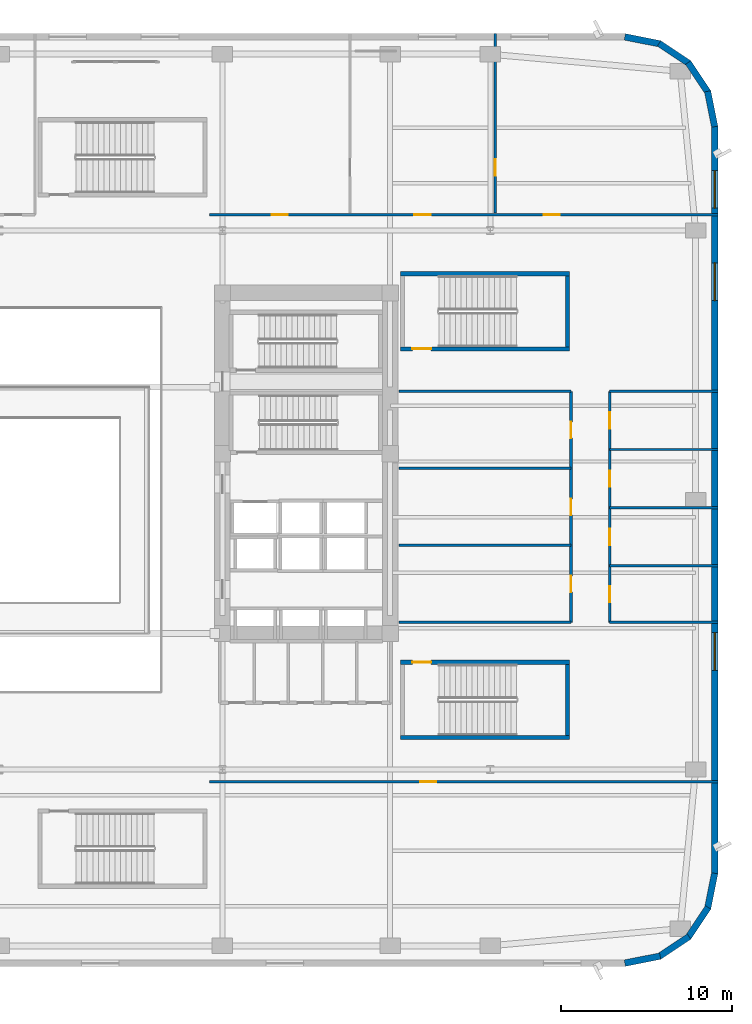
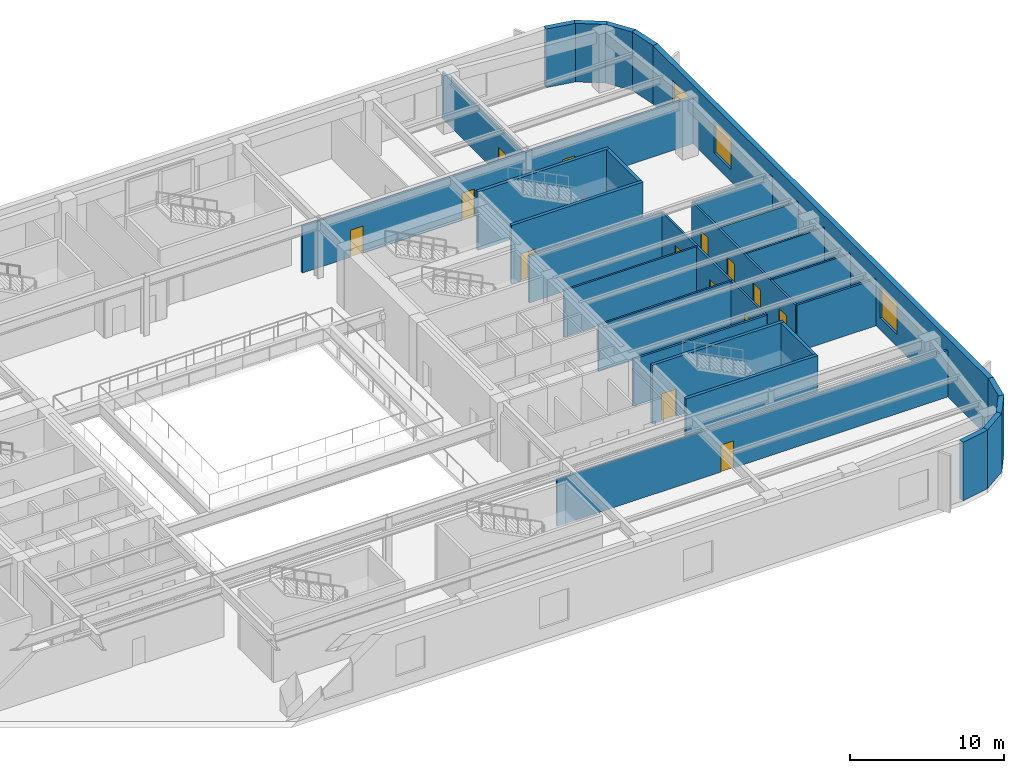
# One storey, part 9 of 21: 29 walls, 14 doors, 3 windows, 17 openings.
"""IFC4 building model written with IfcOpenShell, lengths in metres."""

from ifc_helpers import new_model, si_unit, direction, frame, frame_2d, origin, place, context, subcontext, project, spatial, rectangle, extrude, material, layer, layer_set, type_object, element, fill, save


model = new_model("IFC4")

# Units and contexts
model_context = context("Model", 3, precision=1e-05, world=origin(), true_north=direction((0.0, 1.0)))
body_context = subcontext(model_context, "Body", "Model", "MODEL_VIEW")
ifc_project = project(units=[si_unit("LENGTHUNIT", "METRE"), si_unit("AREAUNIT", "SQUARE_METRE"), si_unit("VOLUMEUNIT", "CUBIC_METRE"), si_unit("PLANEANGLEUNIT", "RADIAN"), si_unit("MASSUNIT", "GRAM", prefix="KILO")], contexts=[model_context])

# Site, building, storey
site_placement = place(None, origin())
site = spatial("IfcSite", under=ifc_project, at=site_placement, CompositionType="ELEMENT")
building_placement = place(site_placement, origin())
building = spatial("IfcBuilding", under=site, at=building_placement, Name="Kolvaren Arena Tower", CompositionType="ELEMENT")
storey_placement = place(building_placement, frame((0.0, 0.0, 18.0)))
storey = spatial("IfcBuildingStorey", under=building, at=storey_placement, Name="L03", CompositionType="ELEMENT", Elevation=18.0)

# Wall, openings, doors
ifc_material_1 = material(Name="Gypsum board acoustic assembly", Category="gypsum")
ifc_layer_1 = layer(ifc_material_1, 0.159912109375)
ifc_layer_set_1 = layer_set([ifc_layer_1], Name="Gypsum board acoustic assembly")
wall_type_1 = type_object("IfcWallType", Name="CORR-160", PredefinedType="PARTITIONING", material=ifc_layer_set_1)
wall_1_placement = place(storey_placement, frame((70.919921875, 20.10009765625, 0.0), z_axis=(0.0, 0.0, 1.0), x_axis=(0.0, 1.0, 0.0)))
wall_1 = element("IfcWall", 1, at=wall_1_placement, inside=storey, type_object=wall_type_1, Name="Interior Partition Wall (L03)", PredefinedType="PARTITIONING", context=body_context, shape_type="SweptSolid", body=[
    extrude(rectangle(XDim=13.5, YDim=0.159912109375, at=frame_2d((6.75, 0.0))), origin(), (0.0, 0.0, 1.0), 3.7099609375),
])
opening_1_placement = place(wall_1_placement, frame((1.77001953125, 0.0, 0.0)))
opening_1 = element("IfcOpeningElement", 2, at=opening_1_placement, cuts=wall_1, Name="Opening D05", PredefinedType="OPENING", context=body_context, shape_type="SweptSolid", body=[
    extrude(rectangle(XDim=0.949951171875, YDim=2.14990234375, at=frame_2d((0.47509765625, 1.074951171875))), frame((0.0, 0.08984375, 0.0), z_axis=(0.0, -1.0, 0.0), x_axis=(1.0, 0.0, 0.0)), (0.0, 0.0, 1.0), 0.179931640625),
])
opening_2_placement = place(wall_1_placement, frame((6.27001953125, 0.0, 0.0)))
opening_2 = element("IfcOpeningElement", 3, at=opening_2_placement, cuts=wall_1, Name="Opening D05", PredefinedType="OPENING", context=body_context, shape_type="SweptSolid", body=[
    extrude(rectangle(XDim=0.949951171875, YDim=2.14990234375, at=frame_2d((0.47509765625, 1.074951171875))), frame((0.0, 0.08984375, 0.0), z_axis=(0.0, -1.0, 0.0), x_axis=(1.0, 0.0, 0.0)), (0.0, 0.0, 1.0), 0.179931640625),
])
opening_3_placement = place(wall_1_placement, frame((10.77001953125, 0.0, 0.0)))
opening_3 = element("IfcOpeningElement", 4, at=opening_3_placement, cuts=wall_1, Name="Opening D05", PredefinedType="OPENING", context=body_context, shape_type="SweptSolid", body=[
    extrude(rectangle(XDim=0.949951171875, YDim=2.14990234375, at=frame_2d((0.47509765625, 1.074951171875))), frame((0.0, 0.08984375, 0.0), z_axis=(0.0, -1.0, 0.0), x_axis=(1.0, 0.0, 0.0)), (0.0, 0.0, 1.0), 0.179931640625),
])
ifc_material_2 = material(Name="Solid-core oak acoustic office door", Category="wood")
door_type_1 = type_object("IfcDoorType", Name="DOOR-OF-095", OperationType="NOTDEFINED", PredefinedType="DOOR", material=ifc_material_2)
door_1_placement = place(opening_1_placement, origin())
door_1 = element("IfcDoor", 5, at=door_1_placement, inside=storey, type_object=door_type_1, Name="East Concourse Club Bar Door (L03)", OperationType="SINGLE_SWING_LEFT", OverallHeight=2.14990234375, OverallWidth=0.949951171875, PredefinedType="DOOR", context=body_context, shape_type="SweptSolid", body=[
    extrude(rectangle(XDim=0.949951171875, YDim=2.14990234375, at=frame_2d((0.47509765625, 1.074951171875))), frame((0.0, 0.02490234375, 0.0), z_axis=(0.0, -1.0, 0.0), x_axis=(1.0, 0.0, 0.0)), (0.0, 0.0, 1.0), 0.050048828125),
])
fill(opening_1, door_1)
door_2_placement = place(opening_2_placement, origin())
door_2 = element("IfcDoor", 6, at=door_2_placement, inside=storey, type_object=door_type_1, Name="East VIP Briefing Room Door (L03)", OperationType="SINGLE_SWING_RIGHT", OverallHeight=2.14990234375, OverallWidth=0.949951171875, PredefinedType="DOOR", context=body_context, shape_type="SweptSolid", body=[
    extrude(rectangle(XDim=0.949951171875, YDim=2.14990234375, at=frame_2d((0.47509765625, 1.074951171875))), frame((0.0, 0.02490234375, 0.0), z_axis=(0.0, -1.0, 0.0), x_axis=(1.0, 0.0, 0.0)), (0.0, 0.0, 1.0), 0.050048828125),
])
fill(opening_2, door_2)
door_3_placement = place(opening_3_placement, origin())
door_3 = element("IfcDoor", 7, at=door_3_placement, inside=storey, type_object=door_type_1, Name="East Event Merchandise Store Door (L03)", OperationType="SINGLE_SWING_LEFT", OverallHeight=2.14990234375, OverallWidth=0.949951171875, PredefinedType="DOOR", context=body_context, shape_type="SweptSolid", body=[
    extrude(rectangle(XDim=0.949951171875, YDim=2.14990234375, at=frame_2d((0.47509765625, 1.074951171875))), frame((0.0, 0.02490234375, 0.0), z_axis=(0.0, -1.0, 0.0), x_axis=(1.0, 0.0, 0.0)), (0.0, 0.0, 1.0), 0.050048828125),
])
fill(opening_3, door_3)

wall_2_placement = place(storey_placement, frame((73.179931640625, 20.10009765625, 0.0), z_axis=(0.0, 0.0, 1.0), x_axis=(0.0, 1.0, 0.0)))
wall_2 = element("IfcWall", 8, at=wall_2_placement, inside=storey, type_object=wall_type_1, Name="Interior Partition Wall (L03)", PredefinedType="PARTITIONING", context=body_context, shape_type="SweptSolid", body=[
    extrude(rectangle(XDim=13.5, YDim=0.159912109375, at=frame_2d((6.75, 0.0))), origin(), (0.0, 0.0, 1.0), 3.7099609375),
])
opening_4_placement = place(wall_2_placement, frame((1.169921875, 0.0, 0.0)))
opening_4 = element("IfcOpeningElement", 9, at=opening_4_placement, cuts=wall_2, Name="Opening D05", PredefinedType="OPENING", context=body_context, shape_type="SweptSolid", body=[
    extrude(rectangle(XDim=0.949951171875, YDim=2.14990234375, at=frame_2d((0.47509765625, 1.074951171875))), frame((0.0, 0.08984375, 0.0), z_axis=(0.0, -1.0, 0.0), x_axis=(1.0, 0.0, 0.0)), (0.0, 0.0, 1.0), 0.179931640625),
])
opening_5_placement = place(wall_2_placement, frame((4.52001953125, 0.0, 0.0)))
opening_5 = element("IfcOpeningElement", 10, at=opening_5_placement, cuts=wall_2, Name="Opening D05", PredefinedType="OPENING", context=body_context, shape_type="SweptSolid", body=[
    extrude(rectangle(XDim=0.949951171875, YDim=2.14990234375, at=frame_2d((0.47509765625, 1.074951171875))), frame((0.0, 0.08984375, 0.0), z_axis=(0.0, -1.0, 0.0), x_axis=(1.0, 0.0, 0.0)), (0.0, 0.0, 1.0), 0.179931640625),
])
opening_6_placement = place(wall_2_placement, frame((7.919921875, 0.0, 0.0)))
opening_6 = element("IfcOpeningElement", 11, at=opening_6_placement, cuts=wall_2, Name="Opening D05", PredefinedType="OPENING", context=body_context, shape_type="SweptSolid", body=[
    extrude(rectangle(XDim=0.949951171875, YDim=2.14990234375, at=frame_2d((0.47509765625, 1.074951171875))), frame((0.0, 0.08984375, 0.0), z_axis=(0.0, -1.0, 0.0), x_axis=(1.0, 0.0, 0.0)), (0.0, 0.0, 1.0), 0.179931640625),
])
opening_7_placement = place(wall_2_placement, frame((11.320068359375, 0.0, 0.0)))
opening_7 = element("IfcOpeningElement", 12, at=opening_7_placement, cuts=wall_2, Name="Opening D05", PredefinedType="OPENING", context=body_context, shape_type="SweptSolid", body=[
    extrude(rectangle(XDim=0.949951171875, YDim=2.14990234375, at=frame_2d((0.47509765625, 1.074951171875))), frame((0.0, 0.08984375, 0.0), z_axis=(0.0, -1.0, 0.0), x_axis=(1.0, 0.0, 0.0)), (0.0, 0.0, 1.0), 0.179931640625),
])
door_4_placement = place(opening_4_placement, origin())
door_4 = element("IfcDoor", 13, at=door_4_placement, inside=storey, type_object=door_type_1, Name="Merchandise Gallery Door (L03)", OperationType="SINGLE_SWING_RIGHT", OverallHeight=2.14990234375, OverallWidth=0.949951171875, PredefinedType="DOOR", context=body_context, shape_type="SweptSolid", body=[
    extrude(rectangle(XDim=0.949951171875, YDim=2.14990234375, at=frame_2d((0.47509765625, 1.074951171875))), frame((0.0, 0.02490234375, 0.0), z_axis=(0.0, -1.0, 0.0), x_axis=(1.0, 0.0, 0.0)), (0.0, 0.0, 1.0), 0.050048828125),
])
fill(opening_4, door_4)
door_5_placement = place(opening_5_placement, origin())
door_5 = element("IfcDoor", 14, at=door_5_placement, inside=storey, type_object=door_type_1, Name="Catering Pantry Door (L03)", OperationType="SINGLE_SWING_RIGHT", OverallHeight=2.14990234375, OverallWidth=0.949951171875, PredefinedType="DOOR", context=body_context, shape_type="SweptSolid", body=[
    extrude(rectangle(XDim=0.949951171875, YDim=2.14990234375, at=frame_2d((0.47509765625, 1.074951171875))), frame((0.0, 0.02490234375, 0.0), z_axis=(0.0, -1.0, 0.0), x_axis=(1.0, 0.0, 0.0)), (0.0, 0.0, 1.0), 0.050048828125),
])
fill(opening_5, door_5)
door_6_placement = place(opening_6_placement, origin())
door_6 = element("IfcDoor", 15, at=door_6_placement, inside=storey, type_object=door_type_1, Name="Event Operations Office Door (L03)", OperationType="SINGLE_SWING_RIGHT", OverallHeight=2.14990234375, OverallWidth=0.949951171875, PredefinedType="DOOR", context=body_context, shape_type="SweptSolid", body=[
    extrude(rectangle(XDim=0.949951171875, YDim=2.14990234375, at=frame_2d((0.47509765625, 1.074951171875))), frame((0.0, 0.02490234375, 0.0), z_axis=(0.0, -1.0, 0.0), x_axis=(1.0, 0.0, 0.0)), (0.0, 0.0, 1.0), 0.050048828125),
])
fill(opening_6, door_6)
door_7_placement = place(opening_7_placement, origin())
door_7 = element("IfcDoor", 16, at=door_7_placement, inside=storey, type_object=door_type_1, Name="East Hospitality Lounge Door (L03)", OperationType="SINGLE_SWING_RIGHT", OverallHeight=2.14990234375, OverallWidth=0.949951171875, PredefinedType="DOOR", context=body_context, shape_type="SweptSolid", body=[
    extrude(rectangle(XDim=0.949951171875, YDim=2.14990234375, at=frame_2d((0.47509765625, 1.074951171875))), frame((0.0, 0.02490234375, 0.0), z_axis=(0.0, -1.0, 0.0), x_axis=(1.0, 0.0, 0.0)), (0.0, 0.0, 1.0), 0.050048828125),
])
fill(opening_7, door_7)

# Walls
for number, where, z_axis, x_axis, name in (
    (17, (60.8798828125, 20.10009765625, 0.0), (0.0, 0.0, 1.0), (1.0, 0.0, 0.0), "Interior Partition Wall (L03)"),
    (18, (60.8798828125, 33.60009765625, 0.0), (0.0, 0.0, 1.0), (1.0, 0.0, 0.0), "Interior Partition Wall (L03)"),
):
    element("IfcWall", number, at=place(storey_placement, frame(where, z_axis=z_axis, x_axis=x_axis)), inside=storey, type_object=wall_type_1, Name=name, PredefinedType="PARTITIONING", context=body_context, shape_type="SweptSolid", body=[
        extrude(rectangle(XDim=10.0400390625, YDim=0.159912109375, at=frame_2d((5.02001953125, 0.0))), origin(), (0.0, 0.0, 1.0), 3.7099609375),
    ])
for number, where, z_axis, x_axis, name in (
    (19, (73.179931640625, 20.10009765625, 0.0), (0.0, 0.0, 1.0), (1.0, 0.0, 0.0), "Interior Partition Wall (L03)"),
    (20, (73.179931640625, 33.60009765625, 0.0), (0.0, 0.0, 1.0), (1.0, 0.0, 0.0), "Interior Partition Wall (L03)"),
):
    element("IfcWall", number, at=place(storey_placement, frame(where, z_axis=z_axis, x_axis=x_axis)), inside=storey, type_object=wall_type_1, Name=name, PredefinedType="PARTITIONING", context=body_context, shape_type="SweptSolid", body=[
        extrude(rectangle(XDim=6.320068359375, YDim=0.159912109375, at=frame_2d((3.16015625, 0.0))), origin(), (0.0, 0.0, 1.0), 3.7099609375),
    ])

# Wall, opening, door
wall_3_placement = place(storey_placement, frame((49.800048828125, 10.780029296875, 0.0), z_axis=(0.0, 0.0, 1.0), x_axis=(1.0, 0.0, 0.0)))
wall_3 = element("IfcWall", 21, at=wall_3_placement, inside=storey, type_object=wall_type_1, Name="Interior Partition Wall (L03)", PredefinedType="PARTITIONING", context=body_context, shape_type="SweptSolid", body=[
    extrude(rectangle(XDim=29.699951171875, YDim=0.159912109375, at=frame_2d((14.85009765625, 0.0))), origin(), (0.0, 0.0, 1.0), 3.7099609375),
])
opening_8_placement = place(wall_3_placement, frame((12.300048828125, 0.0, 0.0)))
opening_8 = element("IfcOpeningElement", 22, at=opening_8_placement, cuts=wall_3, Name="Opening D05", PredefinedType="OPENING", context=body_context, shape_type="SweptSolid", body=[
    extrude(rectangle(XDim=0.949951171875, YDim=2.14990234375, at=frame_2d((0.47509765625, 1.074951171875))), frame((0.0, 0.08984375, 0.0), z_axis=(0.0, -1.0, 0.0), x_axis=(1.0, 0.0, 0.0)), (0.0, 0.0, 1.0), 0.179931640625),
])
door_8_placement = place(opening_8_placement, origin())
door_8 = element("IfcDoor", 23, at=door_8_placement, inside=storey, type_object=door_type_1, Name="Event Ticketing Salon Door (L03)", OperationType="SINGLE_SWING_LEFT", OverallHeight=2.14990234375, OverallWidth=0.949951171875, PredefinedType="DOOR", context=body_context, shape_type="SweptSolid", body=[
    extrude(rectangle(XDim=0.949951171875, YDim=2.14990234375, at=frame_2d((0.47509765625, 1.074951171875))), frame((0.0, 0.02490234375, 0.0), z_axis=(0.0, -1.0, 0.0), x_axis=(1.0, 0.0, 0.0)), (0.0, 0.0, 1.0), 0.050048828125),
])
fill(opening_8, door_8)

# Wall, openings, doors
wall_4_placement = place(storey_placement, frame((49.800048828125, 43.919921875, 0.0), z_axis=(0.0, 0.0, 1.0), x_axis=(1.0, 0.0, 0.0)))
wall_4 = element("IfcWall", 24, at=wall_4_placement, inside=storey, type_object=wall_type_1, Name="Interior Partition Wall (L03)", PredefinedType="PARTITIONING", context=body_context, shape_type="SweptSolid", body=[
    extrude(rectangle(XDim=29.699951171875, YDim=0.159912109375, at=frame_2d((14.85009765625, 0.0))), origin(), (0.0, 0.0, 1.0), 3.7099609375),
])
opening_9_placement = place(wall_4_placement, frame((3.6201171875, 0.0, 0.0)))
opening_9 = element("IfcOpeningElement", 25, at=opening_9_placement, cuts=wall_4, Name="Opening D05", PredefinedType="OPENING", context=body_context, shape_type="SweptSolid", body=[
    extrude(rectangle(XDim=0.949951171875, YDim=2.14990234375, at=frame_2d((0.47509765625, 1.074951171875))), frame((0.0, 0.08984375, 0.0), z_axis=(0.0, -1.0, 0.0), x_axis=(1.0, 0.0, 0.0)), (0.0, 0.0, 1.0), 0.179931640625),
])
opening_10_placement = place(wall_4_placement, frame((11.969970703125, 0.0, 0.0)))
opening_10 = element("IfcOpeningElement", 26, at=opening_10_placement, cuts=wall_4, Name="Opening D05", PredefinedType="OPENING", context=body_context, shape_type="SweptSolid", body=[
    extrude(rectangle(XDim=0.949951171875, YDim=2.14990234375, at=frame_2d((0.47509765625, 1.074951171875))), frame((0.0, 0.08984375, 0.0), z_axis=(0.0, -1.0, 0.0), x_axis=(1.0, 0.0, 0.0)), (0.0, 0.0, 1.0), 0.179931640625),
])
opening_11_placement = place(wall_4_placement, frame((19.52001953125, 0.0, 0.0)))
opening_11 = element("IfcOpeningElement", 27, at=opening_11_placement, cuts=wall_4, Name="Opening D05", PredefinedType="OPENING", context=body_context, shape_type="SweptSolid", body=[
    extrude(rectangle(XDim=0.949951171875, YDim=2.14990234375, at=frame_2d((0.47509765625, 1.074951171875))), frame((0.0, 0.08984375, 0.0), z_axis=(0.0, -1.0, 0.0), x_axis=(1.0, 0.0, 0.0)), (0.0, 0.0, 1.0), 0.179931640625),
])
door_9_placement = place(opening_9_placement, origin())
door_9 = element("IfcDoor", 28, at=door_9_placement, inside=storey, type_object=door_type_1, Name="VIP Merchandise Room Door (L03)", OperationType="SINGLE_SWING_LEFT", OverallHeight=2.14990234375, OverallWidth=0.949951171875, PredefinedType="DOOR", context=body_context, shape_type="SweptSolid", body=[
    extrude(rectangle(XDim=0.949951171875, YDim=2.14990234375, at=frame_2d((0.47509765625, 1.074951171875))), frame((0.0, 0.02490234375, 0.0), z_axis=(0.0, -1.0, 0.0), x_axis=(1.0, 0.0, 0.0)), (0.0, 0.0, 1.0), 0.050048828125),
])
fill(opening_9, door_9)
door_10_placement = place(opening_10_placement, origin())
door_10 = element("IfcDoor", 29, at=door_10_placement, inside=storey, type_object=door_type_1, Name="Training Seminar Room Door (L03)", OperationType="SINGLE_SWING_RIGHT", OverallHeight=2.14990234375, OverallWidth=0.949951171875, PredefinedType="DOOR", context=body_context, shape_type="SweptSolid", body=[
    extrude(rectangle(XDim=0.949951171875, YDim=2.14990234375, at=frame_2d((0.47509765625, 1.074951171875))), frame((0.0, 0.02490234375, 0.0), z_axis=(0.0, -1.0, 0.0), x_axis=(1.0, 0.0, 0.0)), (0.0, 0.0, 1.0), 0.050048828125),
])
fill(opening_10, door_10)
door_11_placement = place(opening_11_placement, origin())
door_11 = element("IfcDoor", 30, at=door_11_placement, inside=storey, type_object=door_type_1, Name="North-East Sponsor Hall Door (L03)", OperationType="SINGLE_SWING_LEFT", OverallHeight=2.14990234375, OverallWidth=0.949951171875, PredefinedType="DOOR", context=body_context, shape_type="SweptSolid", body=[
    extrude(rectangle(XDim=0.949951171875, YDim=2.14990234375, at=frame_2d((0.47509765625, 1.074951171875))), frame((0.0, 0.02490234375, 0.0), z_axis=(0.0, -1.0, 0.0), x_axis=(1.0, 0.0, 0.0)), (0.0, 0.0, 1.0), 0.050048828125),
])
fill(opening_11, door_11)

# Walls
ifc_material_3 = material(Name="Precast concrete C50/60", Category="concrete")
ifc_layer_2 = layer(ifc_material_3, 0.3798828125)
ifc_layer_set_2 = layer_set([ifc_layer_2], Name="Precast concrete C50/60")
wall_type_2 = type_object("IfcWallType", Name="EXT-ARENA", PredefinedType="SOLIDWALL", material=ifc_layer_set_2)
for number, where, z_axis, x_axis, name in (
    (31, (76.12939453125, 0.597412109375, 0.0), (0.0, 0.0, 1.0), (-0.9807762837, -0.195135546048, 0.0), "Exterior Precast Masonry-Frame Wall (L03)"),
    (32, (77.812744140625, 1.739501953125, 0.0), (0.0, 0.0, 1.0), (-0.831515102434, -0.555502146192, 0.0), "Exterior Precast Masonry-Frame Wall (L03)"),
    (33, (78.930908203125, 3.439208984375, 0.0), (0.0, 0.0, 1.0), (-0.555502146192, -0.831515102434, 0.0), "Exterior Precast Masonry-Frame Wall (L03)"),
    (34, (79.313720703125, 5.43701171875, 0.0), (0.0, 0.0, 1.0), (-0.195135546048, -0.9807762837, 0.0), "Exterior Precast Masonry-Frame Wall (L03)"),
):
    element("IfcWall", number, at=place(storey_placement, frame(where, z_axis=z_axis, x_axis=x_axis)), inside=storey, type_object=wall_type_2, Name=name, PredefinedType="SOLIDWALL", context=body_context, shape_type="SweptSolid", body=[
        extrude(rectangle(XDim=2.10693359375, YDim=0.3798828125, at=frame_2d((1.053466796875, 0.0))), origin(), (0.0, 0.0, 1.0), 4.64990234375),
    ])

# Wall, openings, windows
wall_5_placement = place(storey_placement, frame((79.31005859375, 49.10009765625, 0.0), z_axis=(0.0, 0.0, 1.0), x_axis=(0.0, -1.0, 0.0)))
wall_5 = element("IfcWall", 35, at=wall_5_placement, inside=storey, type_object=wall_type_2, Name="Exterior Precast Masonry-Frame Wall (L03)", PredefinedType="SOLIDWALL", context=body_context, shape_type="SweptSolid", body=[
    extrude(rectangle(XDim=43.7001953125, YDim=0.3798828125, at=frame_2d((21.85009765625, 0.0))), origin(), (0.0, 0.0, 1.0), 4.64990234375),
])
opening_12_placement = place(wall_5_placement, frame((2.60009765625, 0.0, 0.949951171875)))
opening_12 = element("IfcOpeningElement", 36, at=opening_12_placement, cuts=wall_5, Name="Opening W07", PredefinedType="OPENING", context=body_context, shape_type="SweptSolid", body=[
    extrude(rectangle(XDim=2.199951171875, YDim=2.5, at=frame_2d((1.10009765625, 1.25))), frame((0.0, 0.199951171875, 0.0), z_axis=(0.0, -1.0, 0.0), x_axis=(1.0, 0.0, 0.0)), (0.0, 0.0, 1.0), 0.39990234375),
])
opening_13_placement = place(wall_5_placement, frame((8.0, 0.0, 0.949951171875)))
opening_13 = element("IfcOpeningElement", 37, at=opening_13_placement, cuts=wall_5, Name="Opening W07", PredefinedType="OPENING", context=body_context, shape_type="SweptSolid", body=[
    extrude(rectangle(XDim=2.199951171875, YDim=2.5, at=frame_2d((1.10009765625, 1.25))), frame((0.0, 0.199951171875, 0.0), z_axis=(0.0, -1.0, 0.0), x_axis=(1.0, 0.0, 0.0)), (0.0, 0.0, 1.0), 0.39990234375),
])
opening_14_placement = place(wall_5_placement, frame((29.60009765625, 0.0, 0.949951171875)))
opening_14 = element("IfcOpeningElement", 38, at=opening_14_placement, cuts=wall_5, Name="Opening W07", PredefinedType="OPENING", context=body_context, shape_type="SweptSolid", body=[
    extrude(rectangle(XDim=2.199951171875, YDim=2.5, at=frame_2d((1.10009765625, 1.25))), frame((0.0, 0.199951171875, 0.0), z_axis=(0.0, -1.0, 0.0), x_axis=(1.0, 0.0, 0.0)), (0.0, 0.0, 1.0), 0.39990234375),
])
ifc_material_4 = material(Name="Triple-glazed arena concourse window", Category="glass")
window_type = type_object("IfcWindowType", Name="WIN-POD-A", PartitioningType="DOUBLE_PANEL_VERTICAL", PredefinedType="WINDOW", material=ifc_material_4)
window_1_placement = place(opening_12_placement, origin())
window_1 = element("IfcWindow", 39, at=window_1_placement, inside=storey, type_object=window_type, Name="Punched Precast-Pier Window (L03)", OverallHeight=2.5, OverallWidth=2.199951171875, PartitioningType="DOUBLE_PANEL_VERTICAL", PredefinedType="WINDOW", context=body_context, shape_type="SweptSolid", body=[
    extrude(rectangle(XDim=2.199951171875, YDim=2.5, at=frame_2d((1.10009765625, 1.25))), frame((0.0, 0.030029296875, 0.0), z_axis=(0.0, -1.0, 0.0), x_axis=(1.0, 0.0, 0.0)), (0.0, 0.0, 1.0), 0.06005859375),
])
fill(opening_12, window_1)
window_2_placement = place(opening_13_placement, origin())
window_2 = element("IfcWindow", 40, at=window_2_placement, inside=storey, type_object=window_type, Name="Punched Precast-Pier Window (L03)", OverallHeight=2.5, OverallWidth=2.199951171875, PartitioningType="DOUBLE_PANEL_VERTICAL", PredefinedType="WINDOW", context=body_context, shape_type="SweptSolid", body=[
    extrude(rectangle(XDim=2.199951171875, YDim=2.5, at=frame_2d((1.10009765625, 1.25))), frame((0.0, 0.030029296875, 0.0), z_axis=(0.0, -1.0, 0.0), x_axis=(1.0, 0.0, 0.0)), (0.0, 0.0, 1.0), 0.06005859375),
])
fill(opening_13, window_2)
window_3_placement = place(opening_14_placement, origin())
window_3 = element("IfcWindow", 41, at=window_3_placement, inside=storey, type_object=window_type, Name="Punched Precast-Pier Window (L03)", OverallHeight=2.5, OverallWidth=2.199951171875, PartitioningType="DOUBLE_PANEL_VERTICAL", PredefinedType="WINDOW", context=body_context, shape_type="SweptSolid", body=[
    extrude(rectangle(XDim=2.199951171875, YDim=2.5, at=frame_2d((1.10009765625, 1.25))), frame((0.0, 0.030029296875, 0.0), z_axis=(0.0, -1.0, 0.0), x_axis=(1.0, 0.0, 0.0)), (0.0, 0.0, 1.0), 0.06005859375),
])
fill(opening_14, window_3)

# Walls
for number, where, z_axis, x_axis, name in (
    (42, (78.902587890625, 51.12939453125, 0.0), (0.0, 0.0, 1.0), (0.195135546048, -0.9807762837, 0.0), "Exterior Precast Masonry-Frame Wall (L03)"),
    (43, (77.760498046875, 52.812744140625, 0.0), (0.0, 0.0, 1.0), (0.555502146192, -0.831515102434, 0.0), "Exterior Precast Masonry-Frame Wall (L03)"),
    (44, (76.060791015625, 53.930908203125, 0.0), (0.0, 0.0, 1.0), (0.831515102434, -0.555502146192, 0.0), "Exterior Precast Masonry-Frame Wall (L03)"),
    (45, (74.06298828125, 54.313720703125, 0.0), (0.0, 0.0, 1.0), (0.9807762837, -0.195135546048, 0.0), "Exterior Precast Masonry-Frame Wall (L03)"),
):
    element("IfcWall", number, at=place(storey_placement, frame(where, z_axis=z_axis, x_axis=x_axis)), inside=storey, type_object=wall_type_2, Name=name, PredefinedType="SOLIDWALL", context=body_context, shape_type="SweptSolid", body=[
        extrude(rectangle(XDim=2.10693359375, YDim=0.3798828125, at=frame_2d((1.053466796875, 0.0))), origin(), (0.0, 0.0, 1.0), 4.64990234375),
    ])
ifc_material_5 = material(Name="Gypsum board partition assembly", Category="gypsum")
ifc_layer_3 = layer(ifc_material_5, 0.135009765625)
ifc_layer_set_3 = layer_set([ifc_layer_3], Name="Gypsum board partition assembly")
wall_type_3 = type_object("IfcWallType", Name="PART-135", PredefinedType="PARTITIONING", material=ifc_layer_set_3)
for number, where, z_axis, x_axis, name in (
    (46, (73.179931640625, 23.39990234375, 0.0), (0.0, 0.0, 1.0), (1.0, 0.0, 0.0), "Interior Partition Wall (L03)"),
    (47, (73.179931640625, 26.800048828125, 0.0), (0.0, 0.0, 1.0), (1.0, 0.0, 0.0), "Interior Partition Wall (L03)"),
    (48, (73.179931640625, 30.199951171875, 0.0), (0.0, 0.0, 1.0), (1.0, 0.0, 0.0), "Interior Partition Wall (L03)"),
):
    element("IfcWall", number, at=place(storey_placement, frame(where, z_axis=z_axis, x_axis=x_axis)), inside=storey, type_object=wall_type_3, Name=name, PredefinedType="PARTITIONING", context=body_context, shape_type="SweptSolid", body=[
        extrude(rectangle(XDim=6.320068359375, YDim=0.135009765625, at=frame_2d((3.16015625, 0.0))), origin(), (0.0, 0.0, 1.0), 3.7099609375),
    ])
for number, where, z_axis, x_axis, name in (
    (49, (60.8798828125, 24.60009765625, 0.0), (0.0, 0.0, 1.0), (1.0, 0.0, 0.0), "Interior Partition Wall (L03)"),
    (50, (60.8798828125, 29.10009765625, 0.0), (0.0, 0.0, 1.0), (1.0, 0.0, 0.0), "Interior Partition Wall (L03)"),
):
    element("IfcWall", number, at=place(storey_placement, frame(where, z_axis=z_axis, x_axis=x_axis)), inside=storey, type_object=wall_type_3, Name=name, PredefinedType="PARTITIONING", context=body_context, shape_type="SweptSolid", body=[
        extrude(rectangle(XDim=10.0400390625, YDim=0.135009765625, at=frame_2d((5.02001953125, 0.0))), origin(), (0.0, 0.0, 1.0), 3.7099609375),
    ])

# Wall, opening, door
wall_6_placement = place(storey_placement, frame((66.5, 44.010009765625, 0.0), z_axis=(0.0, 0.0, 1.0), x_axis=(0.0, 1.0, 0.0)))
wall_6 = element("IfcWall", 51, at=wall_6_placement, inside=storey, type_object=wall_type_3, Name="Interior Partition Wall (L03)", PredefinedType="PARTITIONING", context=body_context, shape_type="SweptSolid", body=[
    extrude(rectangle(XDim=10.489990234375, YDim=0.135009765625, at=frame_2d((5.2451171875, 0.0))), origin(), (0.0, 0.0, 1.0), 3.7099609375),
])
opening_15_placement = place(wall_6_placement, frame((2.199951171875, 0.0, 0.0)))
opening_15 = element("IfcOpeningElement", 52, at=opening_15_placement, cuts=wall_6, Name="Opening D05", PredefinedType="OPENING", context=body_context, shape_type="SweptSolid", body=[
    extrude(rectangle(XDim=0.949951171875, YDim=2.14990234375, at=frame_2d((0.47509765625, 1.074951171875))), frame((0.0, 0.077392578125, 0.0), z_axis=(0.0, -1.0, 0.0), x_axis=(1.0, 0.0, 0.0)), (0.0, 0.0, 1.0), 0.155029296875),
])
door_12_placement = place(opening_15_placement, origin())
door_12 = element("IfcDoor", 53, at=door_12_placement, inside=storey, type_object=door_type_1, Name="Training Seminar Room Connecting Door (L03)", OperationType="SINGLE_SWING_LEFT", OverallHeight=2.14990234375, OverallWidth=0.949951171875, PredefinedType="DOOR", context=body_context, shape_type="SweptSolid", body=[
    extrude(rectangle(XDim=0.949951171875, YDim=2.14990234375, at=frame_2d((0.47509765625, 1.074951171875))), frame((0.0, 0.02490234375, 0.0), z_axis=(0.0, -1.0, 0.0), x_axis=(1.0, 0.0, 0.0)), (0.0, 0.0, 1.0), 0.050048828125),
])
fill(opening_15, door_12)

ifc_material_6 = material(Name="Concrete 45 MPa", Category="concrete")
ifc_layer_4 = layer(ifc_material_6, 0.25)
ifc_layer_set_4 = layer_set([ifc_layer_4], Name="Concrete 45 MPa")
wall_type_4 = type_object("IfcWallType", Name="SHAFT-250", PredefinedType="SOLIDWALL", material=ifc_layer_set_4)
wall_7_placement = place(storey_placement, frame((60.9599609375, 17.77001953125, 0.0), z_axis=(0.0, 0.0, 1.0), x_axis=(1.0, 0.0, 0.0)))
wall_7 = element("IfcWall", 54, at=wall_7_placement, inside=storey, type_object=wall_type_4, Name="Stair ST-A4 Rated Enclosure Wall (L03)", PredefinedType="SOLIDWALL", context=body_context, shape_type="SweptSolid", body=[
    extrude(rectangle(XDim=9.880126953125, YDim=0.239990234375, at=frame_2d((4.93994140625, 0.0))), origin(), (0.0, 0.0, 1.0), 4.64990234375),
])
opening_16_placement = place(wall_7_placement, frame((0.68994140625, 0.0, 0.0)))
opening_16 = element("IfcOpeningElement", 55, at=opening_16_placement, cuts=wall_7, Name="Opening D03", PredefinedType="OPENING", context=body_context, shape_type="SweptSolid", body=[
    extrude(rectangle(XDim=1.10009765625, YDim=2.14990234375, at=frame_2d((0.550048828125, 1.074951171875))), frame((0.0, 0.1298828125, 0.0), z_axis=(0.0, -1.0, 0.0), x_axis=(1.0, 0.0, 0.0)), (0.0, 0.0, 1.0), 0.260009765625),
])
ifc_material_7 = material(Name="Fire-rated steel exit stair door", Category="steel")
door_type_2 = type_object("IfcDoorType", Name="DOOR-ST-110", OperationType="NOTDEFINED", PredefinedType="DOOR", material=ifc_material_7)
door_13_placement = place(opening_16_placement, origin())
door_13 = element("IfcDoor", 56, at=door_13_placement, inside=storey, type_object=door_type_2, Name="Exit Stair ST-A4 Fire Door (L03)", OperationType="SINGLE_SWING_RIGHT", OverallHeight=2.14990234375, OverallWidth=1.10009765625, PredefinedType="DOOR", context=body_context, shape_type="SweptSolid", body=[
    extrude(rectangle(XDim=1.10009765625, YDim=2.14990234375, at=frame_2d((0.550048828125, 1.074951171875))), frame((0.0, 0.02490234375, 0.0), z_axis=(0.0, -1.0, 0.0), x_axis=(1.0, 0.0, 0.0)), (0.0, 0.0, 1.0), 0.050048828125),
])
fill(opening_16, door_13)

# Walls
wall_8_placement = place(storey_placement, frame((60.9599609375, 13.3798828125, 0.0), z_axis=(0.0, 0.0, 1.0), x_axis=(1.0, 0.0, 0.0)))
element("IfcWall", 57, at=wall_8_placement, inside=storey, type_object=wall_type_4, Name="Stair ST-A4 Rear Shaft Wall (L03)", PredefinedType="SOLIDWALL", context=body_context, shape_type="SweptSolid", body=[
    extrude(rectangle(XDim=9.880126953125, YDim=0.239990234375, at=frame_2d((4.93994140625, 0.0))), origin(), (0.0, 0.0, 1.0), 4.64990234375),
])
wall_9_placement = place(storey_placement, frame((70.719970703125, 13.5, 0.0), z_axis=(0.0, 0.0, 1.0), x_axis=(0.0, 1.0, 0.0)))
element("IfcWall", 58, at=wall_9_placement, inside=storey, type_object=wall_type_4, Name="Stair ST-A4 East Shaft Wall (L03)", PredefinedType="SOLIDWALL", context=body_context, shape_type="SweptSolid", body=[
    extrude(rectangle(XDim=4.14990234375, YDim=0.239990234375, at=frame_2d((2.074951171875, 0.0))), origin(), (0.0, 0.0, 1.0), 4.64990234375),
])

# Wall, opening, door
wall_10_placement = place(storey_placement, frame((70.840087890625, 36.080078125, 0.0), z_axis=(0.0, 0.0, 1.0), x_axis=(-1.0, 0.0, 0.0)))
wall_10 = element("IfcWall", 59, at=wall_10_placement, inside=storey, type_object=wall_type_4, Name="Stair ST-A8 Rated Enclosure Wall (L03)", PredefinedType="SOLIDWALL", context=body_context, shape_type="SweptSolid", body=[
    extrude(rectangle(XDim=9.880126953125, YDim=0.239990234375, at=frame_2d((4.93994140625, 0.0))), origin(), (0.0, 0.0, 1.0), 4.64990234375),
])
opening_17_placement = place(wall_10_placement, frame((8.090087890625, 0.0, 0.0)))
opening_17 = element("IfcOpeningElement", 60, at=opening_17_placement, cuts=wall_10, Name="Opening D03", PredefinedType="OPENING", context=body_context, shape_type="SweptSolid", body=[
    extrude(rectangle(XDim=1.10009765625, YDim=2.14990234375, at=frame_2d((0.550048828125, 1.074951171875))), frame((0.0, 0.1298828125, 0.0), z_axis=(0.0, -1.0, 0.0), x_axis=(1.0, 0.0, 0.0)), (0.0, 0.0, 1.0), 0.260009765625),
])
door_14_placement = place(opening_17_placement, origin())
door_14 = element("IfcDoor", 61, at=door_14_placement, inside=storey, type_object=door_type_2, Name="Exit Stair ST-A8 Fire Door (L03)", OperationType="SINGLE_SWING_RIGHT", OverallHeight=2.14990234375, OverallWidth=1.10009765625, PredefinedType="DOOR", context=body_context, shape_type="SweptSolid", body=[
    extrude(rectangle(XDim=1.10009765625, YDim=2.14990234375, at=frame_2d((0.550048828125, 1.074951171875))), frame((0.0, 0.02490234375, 0.0), z_axis=(0.0, -1.0, 0.0), x_axis=(1.0, 0.0, 0.0)), (0.0, 0.0, 1.0), 0.050048828125),
])
fill(opening_17, door_14)

# Walls
wall_11_placement = place(storey_placement, frame((60.9599609375, 40.469970703125, 0.0), z_axis=(0.0, 0.0, 1.0), x_axis=(1.0, 0.0, 0.0)))
element("IfcWall", 62, at=wall_11_placement, inside=storey, type_object=wall_type_4, Name="Stair ST-A8 Rear Shaft Wall (L03)", PredefinedType="SOLIDWALL", context=body_context, shape_type="SweptSolid", body=[
    extrude(rectangle(XDim=9.880126953125, YDim=0.239990234375, at=frame_2d((4.93994140625, 0.0))), origin(), (0.0, 0.0, 1.0), 4.64990234375),
])
wall_12_placement = place(storey_placement, frame((70.719970703125, 36.199951171875, 0.0), z_axis=(0.0, 0.0, 1.0), x_axis=(0.0, 1.0, 0.0)))
element("IfcWall", 63, at=wall_12_placement, inside=storey, type_object=wall_type_4, Name="Stair ST-A8 East Shaft Wall (L03)", PredefinedType="SOLIDWALL", context=body_context, shape_type="SweptSolid", body=[
    extrude(rectangle(XDim=4.150146484375, YDim=0.239990234375, at=frame_2d((2.0751953125, 0.0))), origin(), (0.0, 0.0, 1.0), 4.64990234375),
])

save(model, "model.ifc")
